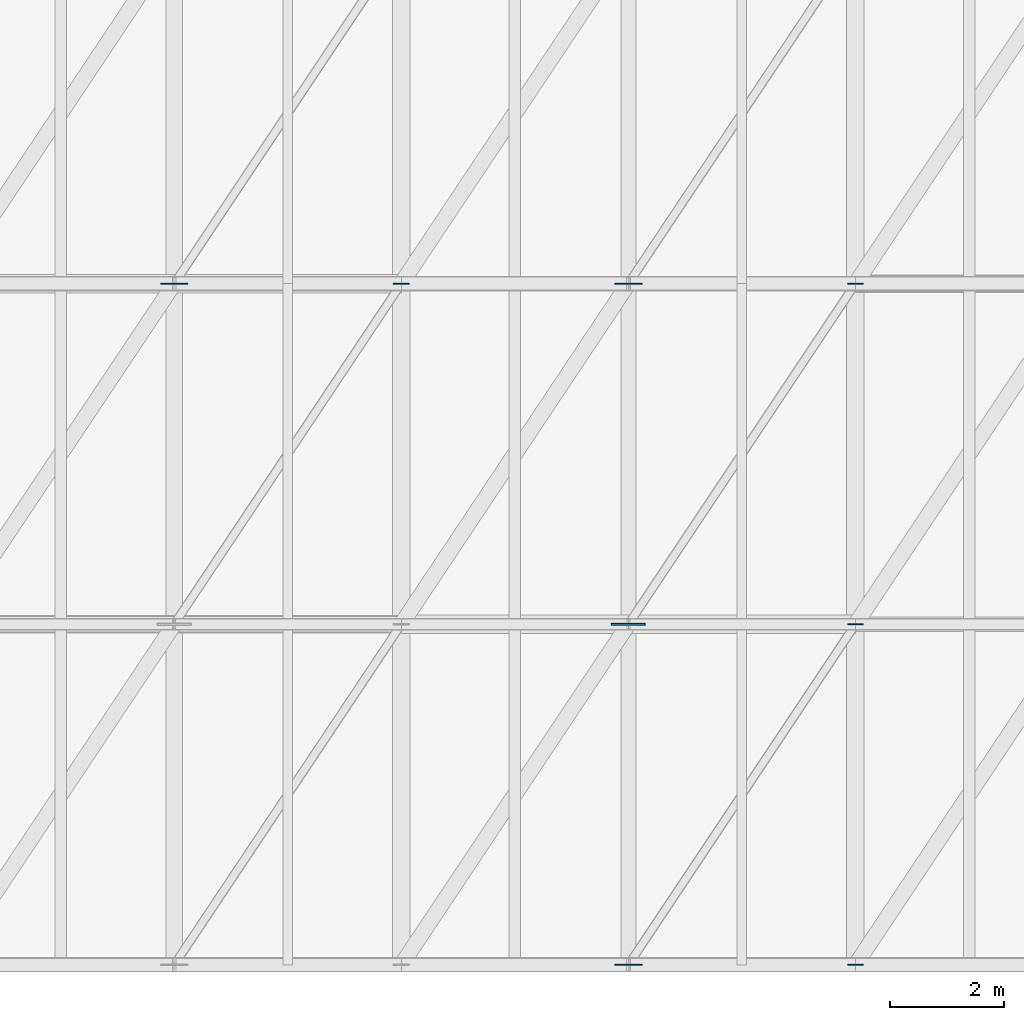
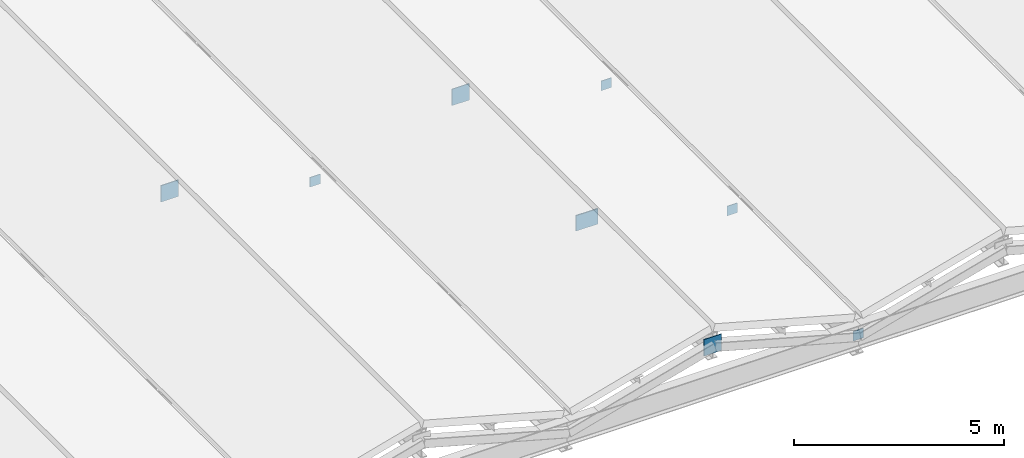
# One storey, part 13 of 27: 8 plates.
"""IFC4 building model written with IfcOpenShell, lengths in metres."""

from ifc_helpers import new_model, si_unit, direction, frame, origin, origin_2d, place, context, subcontext, project, spatial, rectangle, extrude, material, layer, layer_set, type_object, element, save


model = new_model("IFC4")

# Units and contexts
model_context = context("Model", 3, precision=1e-05, world=origin(), true_north=direction((0.0, 1.0)))
body_context = subcontext(model_context, "Body", "Model", "MODEL_VIEW")
ifc_project = project(units=[si_unit("LENGTHUNIT", "METRE"), si_unit("AREAUNIT", "SQUARE_METRE"), si_unit("VOLUMEUNIT", "CUBIC_METRE"), si_unit("PLANEANGLEUNIT", "RADIAN"), si_unit("MASSUNIT", "GRAM", prefix="KILO")], contexts=[model_context])

# Site, building, storey
site_placement = place(None, origin())
site = spatial("IfcSite", under=ifc_project, at=site_placement, CompositionType="ELEMENT")
building_placement = place(site_placement, origin())
building = spatial("IfcBuilding", under=site, at=building_placement, Name="Verrall Gate Interchange", CompositionType="ELEMENT")
storey_placement = place(building_placement, frame((0.0, 0.0, 32.800048828125)))
storey = spatial("IfcBuildingStorey", under=building, at=storey_placement, Name="RF", CompositionType="ELEMENT", Elevation=32.800048828125)

# Plates
ifc_material_1 = material(Name="Structural Steel CSA G40.21 350WT Cat 4", Category="steel")
ifc_layer_1 = layer(ifc_material_1, 0.02001953125)
ifc_layer_set_1 = layer_set([ifc_layer_1], Name="Structural Steel CSA G40.21 350WT Cat 4")
plate_type_1 = type_object("IfcPlateType", Name="GP-01 Gusset Plate 20", PredefinedType="SHEET", material=ifc_layer_set_1)
for number, where, z_axis, x_axis, name in (
    (1, (56.0, 24.0, -15.9482421875), (0.0, 0.0, 1.0), (1.0, 0.0, 0.0), "Folded-Plate Ridge Gusset Node KN-R3-2"),
    (2, (64.0, 12.0, -15.9482421875), (0.0, 0.0, 1.0), (1.0, 0.0, 0.0), "Folded-Plate Ridge Gusset Node KN-R4-0"),
    (3, (64.0, 24.0, -15.9482421875), (0.0, 0.0, 1.0), (1.0, 0.0, 0.0), "Folded-Plate Ridge Gusset Node KN-R4-2"),
):
    element("IfcPlate", number, at=place(storey_placement, frame(where, z_axis=z_axis, x_axis=x_axis)), inside=storey, type_object=plate_type_1, Name=name, PredefinedType="SHEET", context=body_context, shape_type="SweptSolid", body=[
        extrude(rectangle(XDim=0.47998046875, YDim=0.02001953125, at=origin_2d()), origin(), (0.0, 0.0, 1.0), 0.47998046875),
    ])
for number, where, z_axis, x_axis, name in (
    (4, (60.0, 24.0, -16.9482421875), (0.0, 0.0, 1.0), (1.0, 0.0, 0.0), "Folded-Plate Valley Gusset Node KN-V4-0-2"),
    (5, (68.0, 12.0, -16.9482421875), (0.0, 0.0, 1.0), (1.0, 0.0, 0.0), "Folded-Plate Valley Gusset Node KN-V5-0-0"),
    (6, (68.0, 18.0, -16.9482421875), (0.0, 0.0, 1.0), (1.0, 0.0, 0.0), "Folded-Plate Valley Gusset Node KN-V5-0-1"),
    (7, (68.0, 24.0, -16.9482421875), (0.0, 0.0, 1.0), (1.0, 0.0, 0.0), "Folded-Plate Valley Gusset Node KN-V5-0-2"),
):
    element("IfcPlate", number, at=place(storey_placement, frame(where, z_axis=z_axis, x_axis=x_axis)), inside=storey, type_object=plate_type_1, Name=name, PredefinedType="SHEET", context=body_context, shape_type="SweptSolid", body=[
        extrude(rectangle(XDim=0.280029296875, YDim=0.02001953125, at=origin_2d()), origin(), (0.0, 0.0, 1.0), 0.280029296875),
    ])
ifc_material_2 = material(Name="Structural Steel CSA G40.21 350WT Cat 4", Category="steel")
ifc_layer_2 = layer(ifc_material_2, 0.030029296875)
ifc_layer_set_2 = layer_set([ifc_layer_2], Name="Structural Steel CSA G40.21 350WT Cat 4")
plate_type_2 = type_object("IfcPlateType", Name="GP-02 Gusset Plate 30", PredefinedType="SHEET", material=ifc_layer_set_2)
plate_placement = place(storey_placement, frame((64.0, 18.0, -15.93310546875), z_axis=(0.0, 0.0, 1.0), x_axis=(1.0, 0.0, 0.0)))
element("IfcPlate", 8, at=plate_placement, inside=storey, type_object=plate_type_2, Name="Folded-Plate Ridge Gusset Node KN-R4-1", PredefinedType="SHEET", context=body_context, shape_type="SweptSolid", body=[
    extrude(rectangle(XDim=0.60009765625, YDim=0.030029296875, at=origin_2d()), origin(), (0.0, 0.0, 1.0), 0.449951171875),
])

save(model, "model.ifc")
